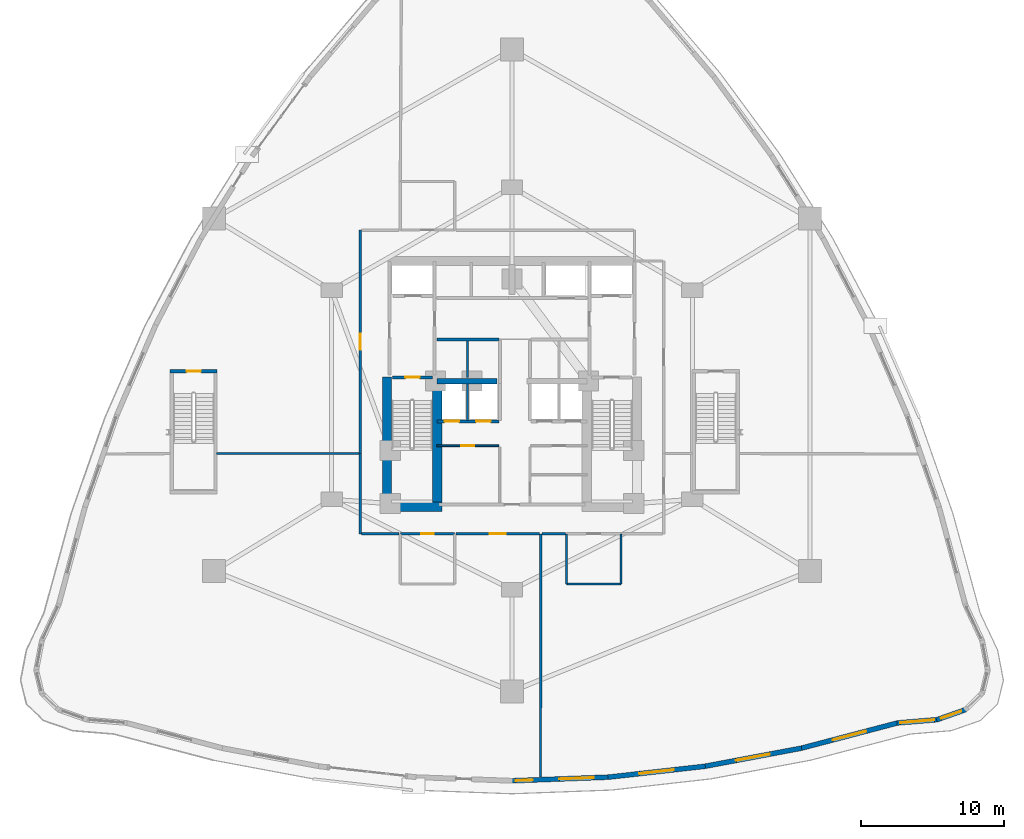
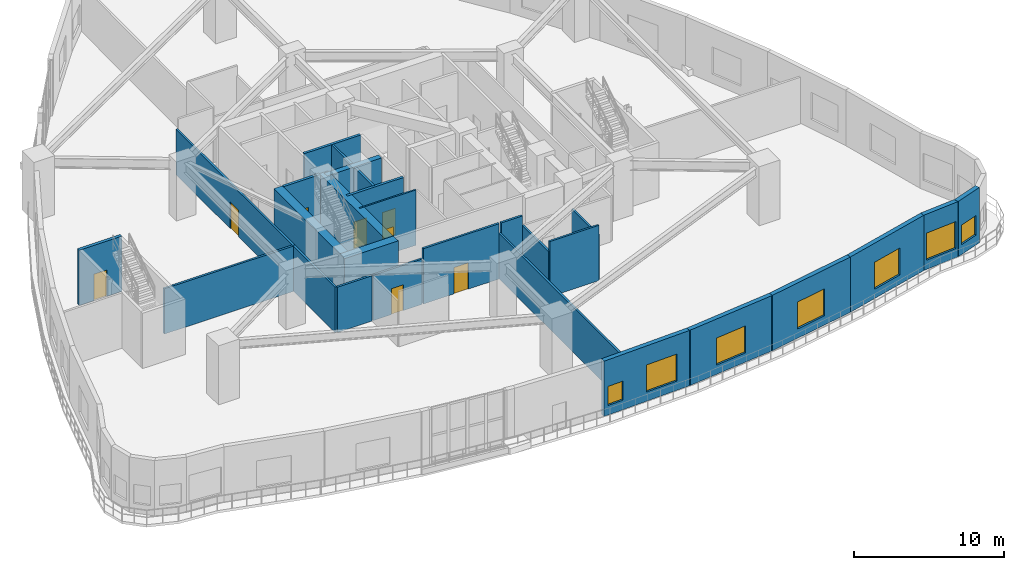
# One storey, part 15 of 23: 28 walls, 8 doors, 7 windows, 15 openings.
"""IFC4 building model written with IfcOpenShell, lengths in metres."""

from ifc_helpers import new_model, si_unit, direction, frame, frame_2d, origin, place, context, subcontext, project, spatial, rectangle, extrude, material, layer, layer_set, type_object, element, fill, save


model = new_model("IFC4")

# Units and contexts
model_context = context("Model", 3, precision=1e-05, world=origin(), true_north=direction((0.0, 1.0)))
body_context = subcontext(model_context, "Body", "Model", "MODEL_VIEW")
ifc_project = project(units=[si_unit("LENGTHUNIT", "METRE"), si_unit("AREAUNIT", "SQUARE_METRE"), si_unit("VOLUMEUNIT", "CUBIC_METRE"), si_unit("PLANEANGLEUNIT", "RADIAN"), si_unit("MASSUNIT", "GRAM", prefix="KILO")], contexts=[model_context])

# Site, building, storey
site_placement = place(None, origin())
site = spatial("IfcSite", under=ifc_project, at=site_placement, CompositionType="ELEMENT")
building_placement = place(site_placement, origin())
building = spatial("IfcBuilding", under=site, at=building_placement, Name="Miruveldt Soraemaru", CompositionType="ELEMENT")
storey_placement = place(building_placement, frame((0.0, 0.0, 14.39990234375)))
storey = spatial("IfcBuildingStorey", under=building, at=storey_placement, Name="L04", CompositionType="ELEMENT", Elevation=14.39990234375)

# Wall
ifc_material_1 = material(Name="Concrete C70/85 (70 MPa)", Category="concrete")
ifc_layer_1 = layer(ifc_material_1, 0.5, Name="Concrete C70/85 (70 MPa)", Category="concrete")
ifc_layer_set_1 = layer_set([ifc_layer_1], Name="Concrete C70/85 (70 MPa)")
wall_type_1 = type_object("IfcWallType", Name="WALL-BW-500", PredefinedType="SHEAR", material=ifc_layer_set_1)
wall_1_placement = place(storey_placement, frame((38.75, 44.050048828125, 0.0), z_axis=(0.0, 0.0, 1.0), x_axis=(1.0, 0.0, 0.0)))
element("IfcWall", 1, at=wall_1_placement, inside=storey, type_object=wall_type_1, Name="L04 Core Buttress Shear Wall BW", PredefinedType="SHEAR", context=body_context, shape_type="SweptSolid", body=[
    extrude(rectangle(XDim=4.199951171875, YDim=0.39990234375, at=frame_2d((2.10009765625, 0.0))), origin(), (0.0, 0.0, 1.0), 4.5),
])

# Wall, opening, door
ifc_material_2 = material(Name="Concrete C50/60 (50 MPa)", Category="concrete")
ifc_layer_2 = layer(ifc_material_2, 0.419921875, Name="Concrete C50/60 (50 MPa)", Category="concrete")
ifc_layer_set_2 = layer_set([ifc_layer_2], Name="Concrete C50/60 (50 MPa)")
wall_type_2 = type_object("IfcWallType", Name="WALL-CW-420", PredefinedType="SHEAR", material=ifc_layer_set_2)
wall_2_placement = place(storey_placement, frame((20.1298828125, 44.75, 0.0), z_axis=(0.0, 0.0, 1.0), x_axis=(1.0, 0.0, 0.0)))
wall_2 = element("IfcWall", 2, at=wall_2_placement, inside=storey, type_object=wall_type_2, Name="L04 Protected Exit Stair ST-3 Structural Shaft Wall N", PredefinedType="SHEAR", context=body_context, shape_type="SweptSolid", body=[
    extrude(rectangle(XDim=3.2900390625, YDim=0.239990234375, at=frame_2d((1.64501953125, 0.0))), origin(), (0.0, 0.0, 1.0), 4.5),
])
opening_1_placement = place(wall_2_placement, frame((1.14501953125, 0.0, 0.0)))
opening_1 = element("IfcOpeningElement", 3, at=opening_1_placement, cuts=wall_2, Name="Opening FD1", PredefinedType="OPENING", context=body_context, shape_type="SweptSolid", body=[
    extrude(rectangle(XDim=1.0, YDim=2.14990234375, at=frame_2d((0.5, 1.074951171875))), frame((0.0, 0.1298828125, 0.0), z_axis=(0.0, -1.0, 0.0), x_axis=(1.0, 0.0, 0.0)), (0.0, 0.0, 1.0), 0.260009765625),
])
ifc_material_3 = material(Name="Anodised aluminium EN AW-6063 T6", Category="aluminium")
door_type_1 = type_object("IfcDoorType", Name="DOOR-FD1-1000", OperationType="NOTDEFINED", PredefinedType="DOOR", material=ifc_material_3)
door_1_placement = place(opening_1_placement, frame((1.0, 0.0, 0.0), z_axis=(0.0, 0.0, 1.0), x_axis=(-1.0, 0.0, 0.0)))
door_1 = element("IfcDoor", 4, at=door_1_placement, inside=storey, type_object=door_type_1, Name="L04 Protected Exit Stair ST-3 Fire Door", OperationType="SINGLE_SWING_LEFT", OverallHeight=2.14990234375, OverallWidth=1.0, PredefinedType="DOOR", context=body_context, shape_type="SweptSolid", body=[
    extrude(rectangle(XDim=1.0, YDim=2.14990234375, at=frame_2d((0.5, 1.074951171875))), frame((0.0, 0.02490234375, 0.0), z_axis=(0.0, -1.0, 0.0), x_axis=(1.0, 0.0, 0.0)), (0.0, 0.0, 1.0), 0.050048828125),
])
fill(opening_1, door_1)

# Walls
ifc_material_4 = material(Name="Concrete C80/95 (80 MPa)", Category="concrete")
ifc_layer_3 = layer(ifc_material_4, 0.64990234375, Name="Concrete C80/95 (80 MPa)", Category="concrete")
ifc_layer_set_3 = layer_set([ifc_layer_3], Name="Concrete C80/95 (80 MPa)")
wall_type_3 = type_object("IfcWallType", Name="WALL-CW-650", PredefinedType="SHEAR", material=ifc_layer_set_3)
wall_3_placement = place(storey_placement, frame((34.949951171875, 35.27490234375, 0.0), z_axis=(0.0, 0.0, 1.0), x_axis=(1.0, 0.0, 0.0)))
element("IfcWall", 5, at=wall_3_placement, inside=storey, type_object=wall_type_3, Name="L04 Central Core Shear Wall S1", PredefinedType="SHEAR", context=body_context, shape_type="SweptSolid", body=[
    extrude(rectangle(XDim=4.150146484375, YDim=0.64990234375, at=frame_2d((2.0751953125, 0.0))), origin(), (0.0, 0.0, 1.0), 4.5),
])
wall_4_placement = place(storey_placement, frame((35.27490234375, 34.949951171875, 0.0), z_axis=(0.0, 0.0, 1.0), x_axis=(0.0, 1.0, 0.0)))
element("IfcWall", 6, at=wall_4_placement, inside=storey, type_object=wall_type_3, Name="L04 Central Core Shear Wall W1", PredefinedType="SHEAR", context=body_context, shape_type="SweptSolid", body=[
    extrude(rectangle(XDim=9.400146484375, YDim=0.64990234375, at=frame_2d((4.7001953125, 0.0))), origin(), (0.0, 0.0, 1.0), 4.5),
])
wall_5_placement = place(storey_placement, frame((38.77490234375, 35.39990234375, 0.0), z_axis=(0.0, 0.0, 1.0), x_axis=(0.0, 1.0, 0.0)))
element("IfcWall", 7, at=wall_5_placement, inside=storey, type_object=wall_type_3, Name="L04 Central Core Shear Wall SW-INT", PredefinedType="SHEAR", context=body_context, shape_type="SweptSolid", body=[
    extrude(rectangle(XDim=8.9501953125, YDim=0.64990234375, at=frame_2d((4.47509765625, 0.0))), origin(), (0.0, 0.0, 1.0), 4.5),
])

# Wall, openings, windows
ifc_material_5 = material(Name="Precast concrete C45/55 (45 MPa)", Category="concrete")
ifc_layer_4 = layer(ifc_material_5, 0.340087890625, Name="Precast concrete C45/55 (45 MPa)", Category="concrete")
ifc_layer_set_4 = layer_set([ifc_layer_4], Name="Precast concrete C45/55 (45 MPa)")
wall_type_4 = type_object("IfcWallType", Name="WALL-EXT-PC340", PredefinedType="SOLIDWALL", material=ifc_layer_set_4)
wall_6_placement = place(storey_placement, frame((43.965087890625, 16.1513671875, 0.0), z_axis=(0.0, 0.0, 1.0), x_axis=(0.99929801878, 0.0374629105, 0.0)))
wall_6 = element("IfcWall", 8, at=wall_6_placement, inside=storey, type_object=wall_type_4, Name="L04 Precast Concrete Facade Wall 25", PredefinedType="SOLIDWALL", context=body_context, shape_type="SweptSolid", body=[
    extrude(rectangle(XDim=6.8037109375, YDim=0.340087890625, at=frame_2d((3.40185546875, 0.0))), origin(), (0.0, 0.0, 1.0), 4.5),
])
opening_2_placement = place(wall_6_placement, frame((0.299072265625, 0.0, 0.780029296875)))
opening_2 = element("IfcOpeningElement", 9, at=opening_2_placement, cuts=wall_6, Name="Opening WN-4", PredefinedType="OPENING", context=body_context, shape_type="SweptSolid", body=[
    extrude(rectangle(XDim=1.199951171875, YDim=1.550048828125, at=frame_2d((0.60009765625, 0.77490234375))), frame((0.0, 0.18017578125, 0.0), z_axis=(0.0, -1.0, 0.0), x_axis=(1.0, 0.0, 0.0)), (0.0, 0.0, 1.0), 0.360107421875),
])
opening_3_placement = place(wall_6_placement, frame((3.341064453125, 0.0, 0.75)))
opening_3 = element("IfcOpeningElement", 10, at=opening_3_placement, cuts=wall_6, Name="Opening WN-5", PredefinedType="OPENING", context=body_context, shape_type="SweptSolid", body=[
    extrude(rectangle(XDim=2.39990234375, YDim=2.199951171875, at=frame_2d((1.199951171875, 1.10009765625))), frame((0.0, 0.18017578125, 0.0), z_axis=(0.0, -1.0, 0.0), x_axis=(1.0, 0.0, 0.0)), (0.0, 0.0, 1.0), 0.360107421875),
])
ifc_material_6 = material(Name="Triple low-e insulated glazing", Category="glass")
window_type_1 = type_object("IfcWindowType", Name="WIN-PODM-2400x2200", PartitioningType="SINGLE_PANEL", PredefinedType="WINDOW", material=ifc_material_6)
window_1_placement = place(opening_3_placement, origin())
window_1 = element("IfcWindow", 11, at=window_1_placement, inside=storey, type_object=window_type_1, Name="L04 Punched Triple-Glazed Window 25.2", OverallHeight=2.199951171875, OverallWidth=2.39990234375, PartitioningType="SINGLE_PANEL", PredefinedType="WINDOW", context=body_context, shape_type="SweptSolid", body=[
    extrude(rectangle(XDim=2.39990234375, YDim=2.199951171875, at=frame_2d((1.199951171875, 1.10009765625))), frame((0.0, 0.030029296875, 0.0), z_axis=(0.0, -1.0, 0.0), x_axis=(1.0, 0.0, 0.0)), (0.0, 0.0, 1.0), 0.06005859375),
])
fill(opening_3, window_1)
window_type_2 = type_object("IfcWindowType", Name="WIN-PUNCH-1200x1550", PartitioningType="SINGLE_PANEL", PredefinedType="WINDOW", material=ifc_material_6)
window_2_placement = place(opening_2_placement, origin())
window_2 = element("IfcWindow", 12, at=window_2_placement, inside=storey, type_object=window_type_2, Name="L04 Punched Triple-Glazed Window 25.1", OverallHeight=1.550048828125, OverallWidth=1.199951171875, PartitioningType="SINGLE_PANEL", PredefinedType="WINDOW", context=body_context, shape_type="SweptSolid", body=[
    extrude(rectangle(XDim=1.199951171875, YDim=1.550048828125, at=frame_2d((0.60009765625, 0.77490234375))), frame((0.0, 0.030029296875, 0.0), z_axis=(0.0, -1.0, 0.0), x_axis=(1.0, 0.0, 0.0)), (0.0, 0.0, 1.0), 0.06005859375),
])
fill(opening_2, window_2)

# Wall, opening, window
wall_7_placement = place(storey_placement, frame((50.694091796875, 16.40087890625, 0.0), z_axis=(0.0, 0.0, 1.0), x_axis=(0.993730919724, 0.111798296879, 0.0)))
wall_7 = element("IfcWall", 13, at=wall_7_placement, inside=storey, type_object=wall_type_4, Name="L04 Precast Concrete Facade Wall 26", PredefinedType="SOLIDWALL", context=body_context, shape_type="SweptSolid", body=[
    extrude(rectangle(XDim=6.841796875, YDim=0.340087890625, at=frame_2d((3.4208984375, 0.0))), origin(), (0.0, 0.0, 1.0), 4.5),
])
opening_4_placement = place(wall_7_placement, frame((2.219970703125, 0.0, 0.75)))
opening_4 = element("IfcOpeningElement", 14, at=opening_4_placement, cuts=wall_7, Name="Opening WN-5", PredefinedType="OPENING", context=body_context, shape_type="SweptSolid", body=[
    extrude(rectangle(XDim=2.39990234375, YDim=2.199951171875, at=frame_2d((1.199951171875, 1.10009765625))), frame((0.0, 0.18017578125, 0.0), z_axis=(0.0, -1.0, 0.0), x_axis=(1.0, 0.0, 0.0)), (0.0, 0.0, 1.0), 0.360107421875),
])
window_3_placement = place(opening_4_placement, origin())
window_3 = element("IfcWindow", 15, at=window_3_placement, inside=storey, type_object=window_type_1, Name="L04 Punched Triple-Glazed Window 26.1", OverallHeight=2.199951171875, OverallWidth=2.39990234375, PartitioningType="SINGLE_PANEL", PredefinedType="WINDOW", context=body_context, shape_type="SweptSolid", body=[
    extrude(rectangle(XDim=2.39990234375, YDim=2.199951171875, at=frame_2d((1.199951171875, 1.10009765625))), frame((0.0, 0.030029296875, 0.0), z_axis=(0.0, -1.0, 0.0), x_axis=(1.0, 0.0, 0.0)), (0.0, 0.0, 1.0), 0.06005859375),
])
fill(opening_4, window_3)

wall_8_placement = place(storey_placement, frame((57.423583984375, 17.155517578125, 0.0), z_axis=(0.0, 0.0, 1.0), x_axis=(0.982870588444, 0.18429706013, 0.0)))
wall_8 = element("IfcWall", 16, at=wall_8_placement, inside=storey, type_object=wall_type_4, Name="L04 Precast Concrete Facade Wall 27", PredefinedType="SOLIDWALL", context=body_context, shape_type="SweptSolid", body=[
    extrude(rectangle(XDim=6.916259765625, YDim=0.340087890625, at=frame_2d((3.4580078125, 0.0))), origin(), (0.0, 0.0, 1.0), 4.5),
])
opening_5_placement = place(wall_8_placement, frame((2.258056640625, 0.0, 0.75)))
opening_5 = element("IfcOpeningElement", 17, at=opening_5_placement, cuts=wall_8, Name="Opening WN-5", PredefinedType="OPENING", context=body_context, shape_type="SweptSolid", body=[
    extrude(rectangle(XDim=2.39990234375, YDim=2.199951171875, at=frame_2d((1.199951171875, 1.10009765625))), frame((0.0, 0.18017578125, 0.0), z_axis=(0.0, -1.0, 0.0), x_axis=(1.0, 0.0, 0.0)), (0.0, 0.0, 1.0), 0.360107421875),
])
window_4_placement = place(opening_5_placement, origin())
window_4 = element("IfcWindow", 18, at=window_4_placement, inside=storey, type_object=window_type_1, Name="L04 Punched Triple-Glazed Window 27.1", OverallHeight=2.199951171875, OverallWidth=2.39990234375, PartitioningType="SINGLE_PANEL", PredefinedType="WINDOW", context=body_context, shape_type="SweptSolid", body=[
    extrude(rectangle(XDim=2.39990234375, YDim=2.199951171875, at=frame_2d((1.199951171875, 1.10009765625))), frame((0.0, 0.030029296875, 0.0), z_axis=(0.0, -1.0, 0.0), x_axis=(1.0, 0.0, 0.0)), (0.0, 0.0, 1.0), 0.06005859375),
])
fill(opening_5, window_4)

wall_9_placement = place(storey_placement, frame((64.1533203125, 18.414794921875, 0.0), z_axis=(0.0, 0.0, 1.0), x_axis=(0.967228725618, 0.253906660685, 0.0)))
wall_9 = element("IfcWall", 19, at=wall_9_placement, inside=storey, type_object=wall_type_4, Name="L04 Precast Concrete Facade Wall 28", PredefinedType="SOLIDWALL", context=body_context, shape_type="SweptSolid", body=[
    extrude(rectangle(XDim=7.02685546875, YDim=0.340087890625, at=frame_2d((3.513427734375, 0.0))), origin(), (0.0, 0.0, 1.0), 4.5),
])
opening_6_placement = place(wall_9_placement, frame((2.31396484375, 0.0, 0.75)))
opening_6 = element("IfcOpeningElement", 20, at=opening_6_placement, cuts=wall_9, Name="Opening WN-5", PredefinedType="OPENING", context=body_context, shape_type="SweptSolid", body=[
    extrude(rectangle(XDim=2.39990234375, YDim=2.199951171875, at=frame_2d((1.199951171875, 1.10009765625))), frame((0.0, 0.18017578125, 0.0), z_axis=(0.0, -1.0, 0.0), x_axis=(1.0, 0.0, 0.0)), (0.0, 0.0, 1.0), 0.360107421875),
])
window_5_placement = place(opening_6_placement, origin())
window_5 = element("IfcWindow", 21, at=window_5_placement, inside=storey, type_object=window_type_1, Name="L04 Punched Triple-Glazed Window 28.1", OverallHeight=2.199951171875, OverallWidth=2.39990234375, PartitioningType="SINGLE_PANEL", PredefinedType="WINDOW", context=body_context, shape_type="SweptSolid", body=[
    extrude(rectangle(XDim=2.39990234375, YDim=2.199951171875, at=frame_2d((1.199951171875, 1.10009765625))), frame((0.0, 0.030029296875, 0.0), z_axis=(0.0, -1.0, 0.0), x_axis=(1.0, 0.0, 0.0)), (0.0, 0.0, 1.0), 0.06005859375),
])
fill(opening_6, window_5)

wall_10_placement = place(storey_placement, frame((70.881103515625, 20.18701171875, 0.0), z_axis=(0.0, 0.0, 1.0), x_axis=(0.996548131024, 0.083017001592, 0.0)))
wall_10 = element("IfcWall", 22, at=wall_10_placement, inside=storey, type_object=wall_type_4, Name="L04 Precast Concrete Facade Wall 29", PredefinedType="SOLIDWALL", context=body_context, shape_type="SweptSolid", body=[
    extrude(rectangle(XDim=2.837890625, YDim=0.340087890625, at=frame_2d((1.4189453125, 0.0))), origin(), (0.0, 0.0, 1.0), 4.5),
])
opening_7_placement = place(wall_10_placement, frame((0.218994140625, 0.0, 0.75)))
opening_7 = element("IfcOpeningElement", 23, at=opening_7_placement, cuts=wall_10, Name="Opening WN-5", PredefinedType="OPENING", context=body_context, shape_type="SweptSolid", body=[
    extrude(rectangle(XDim=2.39990234375, YDim=2.199951171875, at=frame_2d((1.199951171875, 1.10009765625))), frame((0.0, 0.18017578125, 0.0), z_axis=(0.0, -1.0, 0.0), x_axis=(1.0, 0.0, 0.0)), (0.0, 0.0, 1.0), 0.360107421875),
])
window_6_placement = place(opening_7_placement, origin())
window_6 = element("IfcWindow", 24, at=window_6_placement, inside=storey, type_object=window_type_1, Name="L04 Punched Triple-Glazed Window 29.1", OverallHeight=2.199951171875, OverallWidth=2.39990234375, PartitioningType="SINGLE_PANEL", PredefinedType="WINDOW", context=body_context, shape_type="SweptSolid", body=[
    extrude(rectangle(XDim=2.39990234375, YDim=2.199951171875, at=frame_2d((1.199951171875, 1.10009765625))), frame((0.0, 0.030029296875, 0.0), z_axis=(0.0, -1.0, 0.0), x_axis=(1.0, 0.0, 0.0)), (0.0, 0.0, 1.0), 0.06005859375),
])
fill(opening_7, window_6)

wall_11_placement = place(storey_placement, frame((73.641357421875, 20.408203125, 0.0), z_axis=(0.0, 0.0, 1.0), x_axis=(0.943893639928, 0.330249597279, 0.0)))
wall_11 = element("IfcWall", 25, at=wall_11_placement, inside=storey, type_object=wall_type_4, Name="L04 Precast Concrete Facade Wall 30", PredefinedType="SOLIDWALL", context=body_context, shape_type="SweptSolid", body=[
    extrude(rectangle(XDim=2.1572265625, YDim=0.340087890625, at=frame_2d((1.07861328125, 0.0))), origin(), (0.0, 0.0, 1.0), 4.5),
])
opening_8_placement = place(wall_11_placement, frame((0.3291015625, 0.0, 0.800048828125)))
opening_8 = element("IfcOpeningElement", 26, at=opening_8_placement, cuts=wall_11, Name="Opening WN-3", PredefinedType="OPENING", context=body_context, shape_type="SweptSolid", body=[
    extrude(rectangle(XDim=1.5, YDim=1.60009765625, at=frame_2d((0.75, 0.800048828125))), frame((0.0, 0.18017578125, 0.0), z_axis=(0.0, -1.0, 0.0), x_axis=(1.0, 0.0, 0.0)), (0.0, 0.0, 1.0), 0.360107421875),
])
window_type_3 = type_object("IfcWindowType", Name="WIN-PUNCH-1500x1600", PartitioningType="SINGLE_PANEL", PredefinedType="WINDOW", material=ifc_material_6)
window_7_placement = place(opening_8_placement, origin())
window_7 = element("IfcWindow", 27, at=window_7_placement, inside=storey, type_object=window_type_3, Name="L04 Punched Triple-Glazed Window 30.1", OverallHeight=1.60009765625, OverallWidth=1.5, PartitioningType="SINGLE_PANEL", PredefinedType="WINDOW", context=body_context, shape_type="SweptSolid", body=[
    extrude(rectangle(XDim=1.5, YDim=1.60009765625, at=frame_2d((0.75, 0.800048828125))), frame((0.0, 0.030029296875, 0.0), z_axis=(0.0, -1.0, 0.0), x_axis=(1.0, 0.0, 0.0)), (0.0, 0.0, 1.0), 0.06005859375),
])
fill(opening_8, window_7)

# Wall, opening, door
ifc_material_7 = material(Name="Gypsum plasterboard lining", Category="gypsum")
ifc_layer_5 = layer(ifc_material_7, 0.1201171875, Name="Gypsum plasterboard lining", Category="gypsum")
ifc_layer_set_5 = layer_set([ifc_layer_5], Name="Gypsum plasterboard lining")
wall_type_5 = type_object("IfcWallType", Name="WALL-INT-P120", PredefinedType="PARTITIONING", material=ifc_layer_set_5)
wall_12_placement = place(storey_placement, frame((38.75, 39.550048828125, 0.0), z_axis=(0.0, 0.0, 1.0), x_axis=(1.0, 0.0, 0.0)))
wall_12 = element("IfcWall", 28, at=wall_12_placement, inside=storey, type_object=wall_type_5, Name="L04 Core Compartment Wall CSW-N", PredefinedType="PARTITIONING", context=body_context, shape_type="SweptSolid", body=[
    extrude(rectangle(XDim=4.330078125, YDim=0.1201171875, at=frame_2d((2.1650390625, 0.0))), origin(), (0.0, 0.0, 1.0), 4.5),
])
opening_9_placement = place(wall_12_placement, frame((1.68994140625, 0.0, 0.0)))
opening_9 = element("IfcOpeningElement", 29, at=opening_9_placement, cuts=wall_12, Name="Opening D3A", PredefinedType="OPENING", context=body_context, shape_type="SweptSolid", body=[
    extrude(rectangle(XDim=0.919921875, YDim=2.10009765625, at=frame_2d((0.4599609375, 1.050048828125))), frame((0.0, 0.070068359375, 0.0), z_axis=(0.0, -1.0, 0.0), x_axis=(1.0, 0.0, 0.0)), (0.0, 0.0, 1.0), 0.14013671875),
])
door_type_2 = type_object("IfcDoorType", Name="DOOR-INT-920", OperationType="NOTDEFINED", PredefinedType="DOOR", material=ifc_material_3)
door_2_placement = place(opening_9_placement, origin())
door_2 = element("IfcDoor", 30, at=door_2_placement, inside=storey, type_object=door_type_2, Name="L04 Fire Door", OperationType="SINGLE_SWING_LEFT", OverallHeight=2.10009765625, OverallWidth=0.919921875, PredefinedType="DOOR", context=body_context, shape_type="SweptSolid", body=[
    extrude(rectangle(XDim=0.919921875, YDim=2.10009765625, at=frame_2d((0.4599609375, 1.050048828125))), frame((0.0, 0.02490234375, 0.0), z_axis=(0.0, -1.0, 0.0), x_axis=(1.0, 0.0, 0.0)), (0.0, 0.0, 1.0), 0.050048828125),
])
fill(opening_9, door_2)

ifc_layer_6 = layer(ifc_material_7, 0.14990234375, Name="Gypsum plasterboard lining", Category="gypsum")
ifc_layer_set_6 = layer_set([ifc_layer_6], Name="Gypsum plasterboard lining")
wall_type_6 = type_object("IfcWallType", Name="WALL-INT-PLUMB", PredefinedType="PLUMBINGWALL", material=ifc_layer_set_6)
wall_13_placement = place(storey_placement, frame((36.199951171875, 33.39990234375, 0.0), z_axis=(0.0, 0.0, 1.0), x_axis=(1.0, 0.0, 0.0)))
wall_13 = element("IfcWall", 31, at=wall_13_placement, inside=storey, type_object=wall_type_6, Name="L04 Partition Wall 2", PredefinedType="PLUMBINGWALL", context=body_context, shape_type="SweptSolid", body=[
    extrude(rectangle(XDim=3.800048828125, YDim=0.14990234375, at=frame_2d((1.89990234375, 0.0))), origin(), (0.0, 0.0, 1.0), 3.68798828125),
])
opening_10_placement = place(wall_13_placement, frame((1.449951171875, 0.0, 0.0)))
opening_10 = element("IfcOpeningElement", 32, at=opening_10_placement, cuts=wall_13, Name="Opening D3", PredefinedType="OPENING", context=body_context, shape_type="SweptSolid", body=[
    extrude(rectangle(XDim=0.89990234375, YDim=2.10009765625, at=frame_2d((0.449951171875, 1.050048828125))), frame((0.0, 0.0849609375, 0.0), z_axis=(0.0, -1.0, 0.0), x_axis=(1.0, 0.0, 0.0)), (0.0, 0.0, 1.0), 0.169921875),
])
door_type_3 = type_object("IfcDoorType", Name="DOOR-INT-900", OperationType="NOTDEFINED", PredefinedType="DOOR", material=ifc_material_3)
door_3_placement = place(opening_10_placement, origin())
door_3 = element("IfcDoor", 33, at=door_3_placement, inside=storey, type_object=door_type_3, Name="L04 Public Female Restroom Door", OperationType="SINGLE_SWING_LEFT", OverallHeight=2.10009765625, OverallWidth=0.89990234375, PredefinedType="DOOR", context=body_context, shape_type="SweptSolid", body=[
    extrude(rectangle(XDim=0.89990234375, YDim=2.10009765625, at=frame_2d((0.449951171875, 1.050048828125))), frame((0.0, 0.02490234375, 0.0), z_axis=(0.0, -1.0, 0.0), x_axis=(1.0, 0.0, 0.0)), (0.0, 0.0, 1.0), 0.050048828125),
])
fill(opening_10, door_3)

# Walls
wall_14_placement = place(storey_placement, frame((47.800048828125, 29.89990234375, 0.0), z_axis=(0.0, 0.0, 1.0), x_axis=(1.0, 0.0, 0.0)))
element("IfcWall", 34, at=wall_14_placement, inside=storey, type_object=wall_type_6, Name="L04 Partition Wall 23", PredefinedType="PLUMBINGWALL", context=body_context, shape_type="SweptSolid", body=[
    extrude(rectangle(XDim=3.800048828125, YDim=0.14990234375, at=frame_2d((1.89990234375, 0.0))), origin(), (0.0, 0.0, 1.0), 4.5),
])
for number, where, z_axis, x_axis, name in (
    (35, (47.800048828125, 33.39990234375, 0.0), (0.0, 0.0, 1.0), (0.0, -1.0, 0.0), "L04 Partition Wall 22"),
    (36, (51.60009765625, 29.89990234375, 0.0), (0.0, 0.0, 1.0), (0.0, 1.0, 0.0), "L04 Partition Wall 24"),
):
    element("IfcWall", number, at=place(storey_placement, frame(where, z_axis=z_axis, x_axis=x_axis)), inside=storey, type_object=wall_type_6, Name=name, PredefinedType="PLUMBINGWALL", context=body_context, shape_type="SweptSolid", body=[
        extrude(rectangle(XDim=3.5, YDim=0.14990234375, at=frame_2d((1.75, 0.0))), origin(), (0.0, 0.0, 1.0), 3.68798828125),
    ])

# Wall, opening, door
ifc_material_8 = material(Name="Concrete C40/50 (40 MPa)", Category="concrete")
ifc_layer_7 = layer(ifc_material_8, 0.159912109375, Name="Concrete C40/50 (40 MPa)", Category="concrete")
ifc_layer_set_7 = layer_set([ifc_layer_7], Name="Concrete C40/50 (40 MPa)")
wall_type_7 = type_object("IfcWallType", Name="WALL-INT-RC160", PredefinedType="SOLIDWALL", material=ifc_layer_set_7)
wall_15_placement = place(storey_placement, frame((33.39990234375, 54.60009765625, 0.0), z_axis=(0.0, 0.0, 1.0), x_axis=(0.0, -1.0, 0.0)))
wall_15 = element("IfcWall", 37, at=wall_15_placement, inside=storey, type_object=wall_type_7, Name="L04 Partition Wall 11", PredefinedType="SOLIDWALL", context=body_context, shape_type="SweptSolid", body=[
    extrude(rectangle(XDim=15.60009765625, YDim=0.159912109375, at=frame_2d((7.800048828125, 0.0))), origin(), (0.0, 0.0, 1.0), 3.68798828125),
])
opening_11_placement = place(wall_15_placement, frame((7.25, 0.0, 0.0)))
opening_11 = element("IfcOpeningElement", 38, at=opening_11_placement, cuts=wall_15, Name="Opening FD1A", PredefinedType="OPENING", context=body_context, shape_type="SweptSolid", body=[
    extrude(rectangle(XDim=1.10009765625, YDim=2.14990234375, at=frame_2d((0.550048828125, 1.074951171875))), frame((0.0, 0.08984375, 0.0), z_axis=(0.0, -1.0, 0.0), x_axis=(1.0, 0.0, 0.0)), (0.0, 0.0, 1.0), 0.179931640625),
])
door_type_4 = type_object("IfcDoorType", Name="DOOR-FD1-1100", OperationType="NOTDEFINED", PredefinedType="DOOR", material=ifc_material_3)
door_4_placement = place(opening_11_placement, origin())
door_4 = element("IfcDoor", 39, at=door_4_placement, inside=storey, type_object=door_type_4, Name="L04 Indoor Pilates Studio Entrance Door", OperationType="SINGLE_SWING_LEFT", OverallHeight=2.14990234375, OverallWidth=1.10009765625, PredefinedType="DOOR", context=body_context, shape_type="SweptSolid", body=[
    extrude(rectangle(XDim=1.10009765625, YDim=2.14990234375, at=frame_2d((0.550048828125, 1.074951171875))), frame((0.0, 0.02490234375, 0.0), z_axis=(0.0, -1.0, 0.0), x_axis=(1.0, 0.0, 0.0)), (0.0, 0.0, 1.0), 0.050048828125),
])
fill(opening_11, door_4)

wall_16_placement = place(storey_placement, frame((40.080078125, 33.39990234375, 0.0), z_axis=(0.0, 0.0, 1.0), x_axis=(1.0, 0.0, 0.0)))
wall_16 = element("IfcWall", 40, at=wall_16_placement, inside=storey, type_object=wall_type_7, Name="L04 Partition Wall 6", PredefinedType="SOLIDWALL", context=body_context, shape_type="SweptSolid", body=[
    extrude(rectangle(XDim=5.83984375, YDim=0.159912109375, at=frame_2d((2.919921875, 0.0))), origin(), (0.0, 0.0, 1.0), 4.5),
])
opening_12_placement = place(wall_16_placement, frame((2.3701171875, 0.0, 0.0)))
opening_12 = element("IfcOpeningElement", 41, at=opening_12_placement, cuts=wall_16, Name="Opening FD1A", PredefinedType="OPENING", context=body_context, shape_type="SweptSolid", body=[
    extrude(rectangle(XDim=1.10009765625, YDim=2.14990234375, at=frame_2d((0.550048828125, 1.074951171875))), frame((0.0, 0.08984375, 0.0), z_axis=(0.0, -1.0, 0.0), x_axis=(1.0, 0.0, 0.0)), (0.0, 0.0, 1.0), 0.179931640625),
])
door_5_placement = place(opening_12_placement, origin())
door_5 = element("IfcDoor", 42, at=door_5_placement, inside=storey, type_object=door_type_4, Name="L04 Small Library and Study Hall Entrance Door", OperationType="SINGLE_SWING_LEFT", OverallHeight=2.14990234375, OverallWidth=1.10009765625, PredefinedType="DOOR", context=body_context, shape_type="SweptSolid", body=[
    extrude(rectangle(XDim=1.10009765625, YDim=2.14990234375, at=frame_2d((0.550048828125, 1.074951171875))), frame((0.0, 0.02490234375, 0.0), z_axis=(0.0, -1.0, 0.0), x_axis=(1.0, 0.0, 0.0)), (0.0, 0.0, 1.0), 0.050048828125),
])
fill(opening_12, door_5)

# Walls
wall_17_placement = place(storey_placement, frame((45.99609375, 16.4130859375, 0.0), z_axis=(0.0, 0.0, 1.0), x_axis=(0.000229957739, 0.99999997356, 0.0)))
element("IfcWall", 43, at=wall_17_placement, inside=storey, type_object=wall_type_7, Name="L04 Partition Wall 25", PredefinedType="SOLIDWALL", context=body_context, shape_type="SweptSolid", body=[
    extrude(rectangle(XDim=16.98681640625, YDim=0.159912109375, at=frame_2d((8.493408203125, 0.0))), origin(), (0.0, 0.0, 1.0), 3.68798828125),
])
wall_18_placement = place(storey_placement, frame((33.320068359375, 39.0, 0.0), z_axis=(0.0, 0.0, 1.0), x_axis=(-1.0, 0.0, 0.0)))
element("IfcWall", 44, at=wall_18_placement, inside=storey, type_object=wall_type_7, Name="L04 Partition Wall 26", PredefinedType="SOLIDWALL", context=body_context, shape_type="SweptSolid", body=[
    extrude(rectangle(XDim=9.940185546875, YDim=0.159912109375, at=frame_2d((4.97021484375, 0.0))), origin(), (0.0, 0.0, 1.0), 3.68798828125),
])
wall_19_placement = place(storey_placement, frame((33.39990234375, 39.0, 0.0), z_axis=(0.0, 0.0, 1.0), x_axis=(0.0, -1.0, 0.0)))
element("IfcWall", 45, at=wall_19_placement, inside=storey, type_object=wall_type_7, Name="L04 Partition Wall 4", PredefinedType="SOLIDWALL", context=body_context, shape_type="SweptSolid", body=[
    extrude(rectangle(XDim=5.60009765625, YDim=0.159912109375, at=frame_2d((2.800048828125, 0.0))), origin(), (0.0, 0.0, 1.0), 3.68798828125),
])
wall_20_placement = place(storey_placement, frame((33.47998046875, 33.39990234375, 0.0), z_axis=(0.0, 0.0, 1.0), x_axis=(1.0, 0.0, 0.0)))
element("IfcWall", 46, at=wall_20_placement, inside=storey, type_object=wall_type_7, Name="L04 Partition Wall 5", PredefinedType="SOLIDWALL", context=body_context, shape_type="SweptSolid", body=[
    extrude(rectangle(XDim=2.64013671875, YDim=0.159912109375, at=frame_2d((1.320068359375, 0.0))), origin(), (0.0, 0.0, 1.0), 3.68798828125),
])
wall_21_placement = place(storey_placement, frame((40.89990234375, 44.300048828125, 0.0), z_axis=(0.0, 0.0, 1.0), x_axis=(0.0, 1.0, 0.0)))
element("IfcWall", 47, at=wall_21_placement, inside=storey, type_object=wall_type_7, Name="L04 Core Compartment Wall PLM-DW", PredefinedType="SOLIDWALL", context=body_context, shape_type="SweptSolid", body=[
    extrude(rectangle(XDim=2.550048828125, YDim=0.159912109375, at=frame_2d((1.27490234375, 0.0))), origin(), (0.0, 0.0, 1.0), 4.5),
])
wall_22_placement = place(storey_placement, frame((40.89990234375, 41.320068359375, 0.0), z_axis=(0.0, 0.0, 1.0), x_axis=(0.0, 1.0, 0.0)))
element("IfcWall", 48, at=wall_22_placement, inside=storey, type_object=wall_type_7, Name="L04 Core Compartment Wall PLL-DW", PredefinedType="SOLIDWALL", context=body_context, shape_type="SweptSolid", body=[
    extrude(rectangle(XDim=2.530029296875, YDim=0.159912109375, at=frame_2d((1.26513671875, 0.0))), origin(), (0.0, 0.0, 1.0), 4.5),
])
wall_23_placement = place(storey_placement, frame((46.080078125, 33.39990234375, 0.0), z_axis=(0.0, 0.0, 1.0), x_axis=(1.0, 0.0, 0.0)))
element("IfcWall", 49, at=wall_23_placement, inside=storey, type_object=wall_type_7, Name="L04 Partition Wall 7", PredefinedType="SOLIDWALL", context=body_context, shape_type="SweptSolid", body=[
    extrude(rectangle(XDim=1.639892578125, YDim=0.159912109375, at=frame_2d((0.81982421875, 0.0))), origin(), (0.0, 0.0, 1.0), 4.5),
])

# Wall, openings, doors
ifc_layer_8 = layer(ifc_material_8, 0.199951171875, Name="Concrete C40/50 (40 MPa)", Category="concrete")
ifc_layer_set_8 = layer_set([ifc_layer_8], Name="Concrete C40/50 (40 MPa)")
wall_type_8 = type_object("IfcWallType", Name="WALL-INT-RC200", PredefinedType="SOLIDWALL", material=ifc_layer_set_8)
wall_24_placement = place(storey_placement, frame((38.75, 41.25, 0.0), z_axis=(0.0, 0.0, 1.0), x_axis=(1.0, 0.0, 0.0)))
wall_24 = element("IfcWall", 50, at=wall_24_placement, inside=storey, type_object=wall_type_8, Name="L04 Core Compartment Wall LBW-S", PredefinedType="SOLIDWALL", context=body_context, shape_type="SweptSolid", body=[
    extrude(rectangle(XDim=4.330078125, YDim=0.199951171875, at=frame_2d((2.1650390625, 0.0))), origin(), (0.0, 0.0, 1.0), 4.5),
])
opening_13_placement = place(wall_24_placement, frame((0.550048828125, 0.0, 0.0)))
opening_13 = element("IfcOpeningElement", 51, at=opening_13_placement, cuts=wall_24, Name="Opening LD1B", PredefinedType="OPENING", context=body_context, shape_type="SweptSolid", body=[
    extrude(rectangle(XDim=1.0, YDim=2.14990234375, at=frame_2d((0.5, 1.074951171875))), frame((0.0, 0.10986328125, 0.0), z_axis=(0.0, -1.0, 0.0), x_axis=(1.0, 0.0, 0.0)), (0.0, 0.0, 1.0), 0.219970703125),
])
opening_14_placement = place(wall_24_placement, frame((2.75, 0.0, 0.0)))
opening_14 = element("IfcOpeningElement", 52, at=opening_14_placement, cuts=wall_24, Name="Opening LD1B", PredefinedType="OPENING", context=body_context, shape_type="SweptSolid", body=[
    extrude(rectangle(XDim=1.0, YDim=2.14990234375, at=frame_2d((0.5, 1.074951171875))), frame((0.0, 0.10986328125, 0.0), z_axis=(0.0, -1.0, 0.0), x_axis=(1.0, 0.0, 0.0)), (0.0, 0.0, 1.0), 0.219970703125),
])
door_type_5 = type_object("IfcDoorType", Name="DOOR-LD1-1000", OperationType="SLIDING_TO_LEFT", PredefinedType="DOOR", material=ifc_material_3)
door_6_placement = place(opening_13_placement, frame((1.0, 0.0, 0.0), z_axis=(0.0, 0.0, 1.0), x_axis=(-1.0, 0.0, 0.0)))
door_6 = element("IfcDoor", 53, at=door_6_placement, inside=storey, type_object=door_type_5, Name="L04 PL-L1 Landing Door", OperationType="SLIDING_TO_LEFT", OverallHeight=2.14990234375, OverallWidth=1.0, PredefinedType="DOOR", context=body_context, shape_type="SweptSolid", body=[
    extrude(rectangle(XDim=1.0, YDim=2.14990234375, at=frame_2d((0.5, 1.074951171875))), frame((0.0, 0.02490234375, 0.0), z_axis=(0.0, -1.0, 0.0), x_axis=(1.0, 0.0, 0.0)), (0.0, 0.0, 1.0), 0.050048828125),
])
fill(opening_13, door_6)
door_7_placement = place(opening_14_placement, frame((1.0, 0.0, 0.0), z_axis=(0.0, 0.0, 1.0), x_axis=(-1.0, 0.0, 0.0)))
door_7 = element("IfcDoor", 54, at=door_7_placement, inside=storey, type_object=door_type_5, Name="L04 PL-L2 Landing Door", OperationType="SLIDING_TO_LEFT", OverallHeight=2.14990234375, OverallWidth=1.0, PredefinedType="DOOR", context=body_context, shape_type="SweptSolid", body=[
    extrude(rectangle(XDim=1.0, YDim=2.14990234375, at=frame_2d((0.5, 1.074951171875))), frame((0.0, 0.02490234375, 0.0), z_axis=(0.0, -1.0, 0.0), x_axis=(1.0, 0.0, 0.0)), (0.0, 0.0, 1.0), 0.050048828125),
])
fill(opening_14, door_7)

# Wall, opening, door
wall_25_placement = place(storey_placement, frame((35.64990234375, 44.320068359375, 0.0), z_axis=(0.0, 0.0, 1.0), x_axis=(1.0, 0.0, 0.0)))
wall_25 = element("IfcWall", 55, at=wall_25_placement, inside=storey, type_object=wall_type_8, Name="L04 Core Compartment Wall ST1-N", PredefinedType="SOLIDWALL", context=body_context, shape_type="SweptSolid", body=[
    extrude(rectangle(XDim=2.800048828125, YDim=0.199951171875, at=frame_2d((1.39990234375, 0.0))), origin(), (0.0, 0.0, 1.0), 4.5),
])
opening_15_placement = place(wall_25_placement, frame((0.89990234375, 0.0, 0.0)))
opening_15 = element("IfcOpeningElement", 56, at=opening_15_placement, cuts=wall_25, Name="Opening FD1", PredefinedType="OPENING", context=body_context, shape_type="SweptSolid", body=[
    extrude(rectangle(XDim=1.0, YDim=2.14990234375, at=frame_2d((0.5, 1.074951171875))), frame((0.0, 0.10986328125, 0.0), z_axis=(0.0, -1.0, 0.0), x_axis=(1.0, 0.0, 0.0)), (0.0, 0.0, 1.0), 0.219970703125),
])
door_8_placement = place(opening_15_placement, frame((1.0, 0.0, 0.0), z_axis=(0.0, 0.0, 1.0), x_axis=(-1.0, 0.0, 0.0)))
door_8 = element("IfcDoor", 57, at=door_8_placement, inside=storey, type_object=door_type_1, Name="L04 Stair ST-1 Fire Door", OperationType="SINGLE_SWING_LEFT", OverallHeight=2.14990234375, OverallWidth=1.0, PredefinedType="DOOR", context=body_context, shape_type="SweptSolid", body=[
    extrude(rectangle(XDim=1.0, YDim=2.14990234375, at=frame_2d((0.5, 1.074951171875))), frame((0.0, 0.02490234375, 0.0), z_axis=(0.0, -1.0, 0.0), x_axis=(1.0, 0.0, 0.0)), (0.0, 0.0, 1.0), 0.050048828125),
])
fill(opening_15, door_8)

# Wall
wall_26_placement = place(storey_placement, frame((38.75, 46.949951171875, 0.0), z_axis=(0.0, 0.0, 1.0), x_axis=(1.0, 0.0, 0.0)))
element("IfcWall", 58, at=wall_26_placement, inside=storey, type_object=wall_type_8, Name="L04 Core Compartment Wall MBW-N", PredefinedType="SOLIDWALL", context=body_context, shape_type="SweptSolid", body=[
    extrude(rectangle(XDim=4.330078125, YDim=0.199951171875, at=frame_2d((2.1650390625, 0.0))), origin(), (0.0, 0.0, 1.0), 4.5),
])

save(model, "model.ifc")
